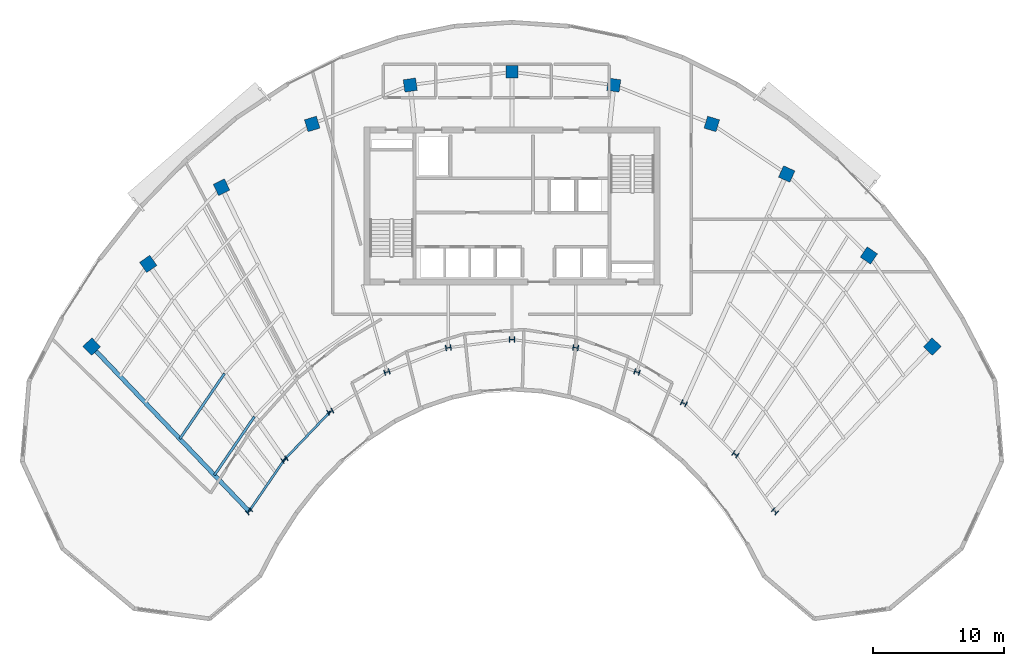
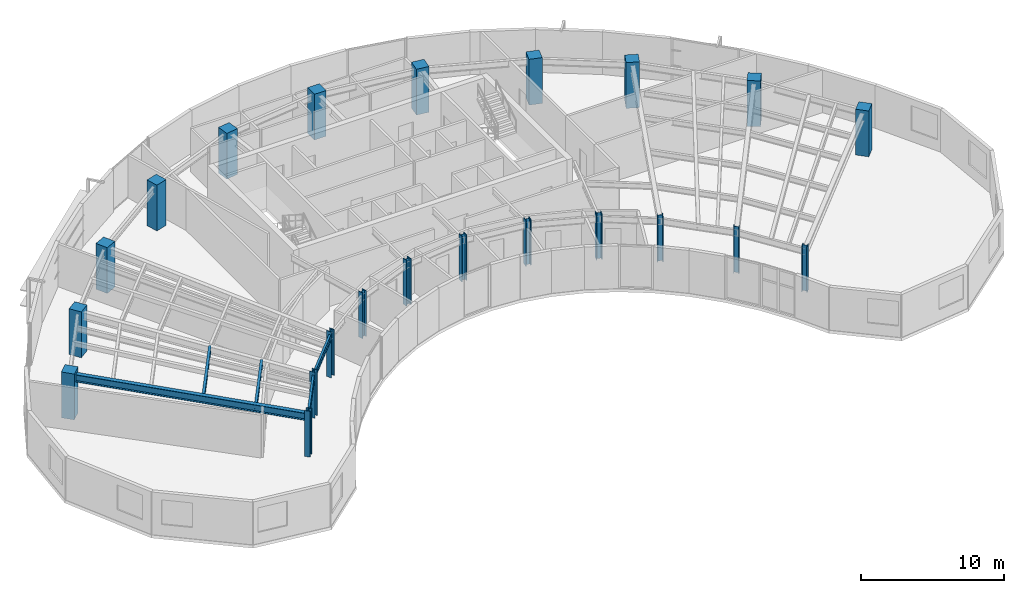
# One storey, part 1 of 13: 22 columns, 5 beams.
"""IFC4 building model written with IfcOpenShell, lengths in metres."""

from ifc_helpers import new_model, si_unit, direction, frame, origin, origin_2d, place, context, subcontext, project, spatial, rectangle, i_section, extrude, source, transform, mapped, material, material_profile, profile_set, type_object, type_shapes, element, save


model = new_model("IFC4")

# Units and contexts
model_context = context("Model", 3, precision=1e-05, world=origin(), true_north=direction((0.0, 1.0)))
body_context = subcontext(model_context, "Body", "Model", "MODEL_VIEW")
ifc_project = project(units=[si_unit("LENGTHUNIT", "METRE"), si_unit("AREAUNIT", "SQUARE_METRE"), si_unit("VOLUMEUNIT", "CUBIC_METRE"), si_unit("PLANEANGLEUNIT", "RADIAN"), si_unit("MASSUNIT", "GRAM", prefix="KILO")], contexts=[model_context])

# Site, building, storey
site_placement = place(None, origin())
site = spatial("IfcSite", under=ifc_project, at=site_placement, CompositionType="ELEMENT")
building_placement = place(site_placement, origin())
building = spatial("IfcBuilding", under=site, at=building_placement, Name="Breltana Convention Tower", CompositionType="ELEMENT")
storey_placement = place(building_placement, frame((0.0, 0.0, 223.5)))
storey = spatial("IfcBuildingStorey", under=building, at=storey_placement, Name="L54", CompositionType="ELEMENT", Elevation=223.5)

# Columns
ifc_material_1 = material(Name="Steel ASTM A992 Grade 50", Category="steel")
ifc_material_profile_1 = material_profile(ifc_material_1, i_section(OverallWidth=0.406005859375, OverallDepth=0.416015625, WebThickness=0.02978515625, FlangeThickness=0.048095703125, at=origin_2d()), Name="W14X257")
ifc_profile_set_1 = profile_set([ifc_material_profile_1], Name="Steel ASTM A992 Grade 50")
column_type_1 = type_object("IfcColumnType", Name="COL-STL-W14X257", PredefinedType="COLUMN", material=ifc_profile_set_1)
shared_shape_1 = source(origin(), body_context, "Body", "SweptSolid", [
    extrude(i_section(OverallWidth=0.406005859375, OverallDepth=0.416015625, WebThickness=0.02978515625, FlangeThickness=0.048095703125, at=origin_2d()), origin(), (0.0, 0.0, 1.0), 3.89990234375),
])
for number, where, z_axis, x_axis, name in (
    (1, (27.984619140625, 42.95458984375, 0.0), (0.0, 0.0, 1.0), (-0.690756218984, 0.723087716626, 0.0), "L54 Tower Column R01-IN"),
    (2, (30.67724609375, 46.892333984375, 0.0), (0.0, 0.0, 1.0), (-0.571143442153, 0.820850271661, 0.0), "L54 Tower Column R02-IN"),
    (3, (34.166259765625, 50.544921875, 0.0), (0.0, 0.0, 1.0), (-0.436173672171, 0.899862504889, 0.0), "L54 Tower Column R03-IN"),
    (4, (38.485107421875, 53.5576171875, 0.0), (0.0, 0.0, 1.0), (-0.288697611798, 0.957420330337, 0.0), "L54 Tower Column R04-IN"),
    (5, (43.153564453125, 55.41064453125, 0.0), (0.0, 0.0, 1.0), (-0.143492621991, 0.98965138682, 0.0), "L54 Tower Column R05-IN"),
    (6, (48.0, 56.035888671875, 0.0), (0.0, 0.0, 1.0), (0.0, 1.0, 0.0), "L54 Tower Column R06-IN"),
    (7, (52.846435546875, 55.41064453125, 0.0), (0.0, 0.0, 1.0), (0.143492621991, 0.98965138682, 0.0), "L54 Tower Column R07-IN"),
    (8, (57.514892578125, 53.5576171875, 0.0), (0.0, 0.0, 1.0), (0.288697611798, 0.957420330337, 0.0), "L54 Tower Column R08-IN"),
    (9, (61.08203125, 51.174560546875, 0.0), (0.0, 0.0, 1.0), (0.409126902895, 0.912477494148, 0.0), "L54 Tower Column R09-IN"),
    (10, (64.995849609375, 47.293701171875, 0.0), (0.0, 0.0, 1.0), (0.55774510898, 0.830012285095, 0.0), "L54 Tower Column R10-IN"),
    (11, (68.015380859375, 42.95458984375, 0.0), (0.0, 0.0, 1.0), (0.690756218984, 0.723087716626, 0.0), "L54 Tower Column R11-IN"),
):
    element("IfcColumn", number, at=place(storey_placement, frame(where, z_axis=z_axis, x_axis=x_axis)), inside=storey, type_object=column_type_1, Name=name, PredefinedType="COLUMN", context=body_context, shape_type="MappedRepresentation", body=[
        mapped(shared_shape_1, transform((0.0, 0.0, 0.0), scale=1.0)),
    ])
ifc_material_2 = material(Name="Concrete C50/60", Category="concrete")
ifc_material_profile_2 = material_profile(ifc_material_2, rectangle(XDim=0.949951171875, YDim=0.949951171875, at=origin_2d()), Name="RC-COL-950X950")
ifc_profile_set_2 = profile_set([ifc_material_profile_2], Name="Concrete C50/60")
column_type_2 = type_object("IfcColumnType", Name="COL-RC-950", PredefinedType="COLUMN", material=ifc_profile_set_2)
shared_shape_2 = source(origin(), body_context, "Body", "SweptSolid", [
    extrude(rectangle(XDim=0.949951171875, YDim=0.949951171875, at=origin_2d()), origin(), (0.0, 0.0, 1.0), 3.89990234375),
])
for number, where, z_axis, x_axis, name in (
    (12, (16.0068359375, 55.494384765625, 0.0), (0.0, 0.0, 1.0), (-0.690756218984, 0.723087716626, 0.0), "L54 Tower Column R01-OUT"),
    (13, (20.310791015625, 61.78857421875, 0.0), (0.0, 0.0, 1.0), (-0.571143442153, 0.820850271661, 0.0), "L54 Tower Column R02-OUT"),
    (14, (25.8876953125, 67.626953125, 0.0), (0.0, 0.0, 1.0), (-0.436173672171, 0.899862504889, 0.0), "L54 Tower Column R03-OUT"),
    (15, (32.791015625, 72.4423828125, 0.0), (0.0, 0.0, 1.0), (-0.288697611798, 0.957420330337, 0.0), "L54 Tower Column R04-OUT"),
    (16, (40.253173828125, 75.404296875, 0.0), (0.0, 0.0, 1.0), (-0.143492621991, 0.98965138682, 0.0), "L54 Tower Column R05-OUT"),
    (17, (48.0, 76.404052734375, 0.0), (0.0, 0.0, 1.0), (0.0, 1.0, 0.0), "L54 Tower Column R06-OUT"),
    (18, (55.746826171875, 75.404296875, 0.0), (0.0, 0.0, 1.0), (0.143492621991, 0.98965138682, 0.0), "L54 Tower Column R07-OUT"),
    (19, (63.208984375, 72.4423828125, 0.0), (0.0, 0.0, 1.0), (0.288697611798, 0.957420330337, 0.0), "L54 Tower Column R08-OUT"),
    (20, (68.910400390625, 68.63330078125, 0.0), (0.0, 0.0, 1.0), (0.409126902895, 0.912477494148, 0.0), "L54 Tower Column R09-OUT"),
    (21, (75.166748046875, 62.43017578125, 0.0), (0.0, 0.0, 1.0), (0.55774510898, 0.830012285095, 0.0), "L54 Tower Column R10-OUT"),
    (22, (79.9931640625, 55.494384765625, 0.0), (0.0, 0.0, 1.0), (0.690756218984, 0.723087716626, 0.0), "L54 Tower Column R11-OUT"),
):
    element("IfcColumn", number, at=place(storey_placement, frame(where, z_axis=z_axis, x_axis=x_axis)), inside=storey, type_object=column_type_2, Name=name, PredefinedType="COLUMN", context=body_context, shape_type="MappedRepresentation", body=[
        mapped(shared_shape_2, transform((0.0, 0.0, 0.0), scale=1.0)),
    ])

# Beams
ifc_material_profile_3 = material_profile(ifc_material_1, i_section(OverallWidth=0.19091796875, OverallDepth=0.4599609375, WebThickness=0.010009765625, FlangeThickness=0.01611328125, at=origin_2d()), Name="W18X55")
ifc_profile_set_3 = profile_set([ifc_material_profile_3], Name="Steel ASTM A992 Grade 50")
beam_type_1 = type_object("IfcBeamType", Name="BM-JSG-07", PredefinedType="JOIST", material=ifc_profile_set_3)
shared_shape_3 = source(origin(), body_context, "Body", "SweptSolid", [
    extrude(i_section(OverallWidth=0.19091796875, OverallDepth=0.4599609375, WebThickness=0.010009765625, FlangeThickness=0.01611328125, at=origin_2d()), origin(), (0.0, 0.0, 1.0), 5.3984375),
])
type_shapes(beam_type_1, [shared_shape_3])
beam_1_placement = place(storey_placement, frame((25.349365234375, 45.71337890625, 3.409912109375), z_axis=(0.564440705434, 0.825473615599, 0.0), x_axis=(-0.825473615599, 0.564440705434, 0.0)))
element("IfcBeam", 23, at=beam_1_placement, inside=storey, type_object=beam_type_1, Name="L54 Composite Floor Joist 01.1", PredefinedType="JOIST", context=body_context, shape_type="MappedRepresentation", body=[
    mapped(shared_shape_3, transform((0.0, 0.0, 0.0), scale=1.0)),
])
shared_shape_4 = source(origin(), body_context, "Body", "SweptSolid", [
    extrude(i_section(OverallWidth=0.19091796875, OverallDepth=0.4599609375, WebThickness=0.010009765625, FlangeThickness=0.01611328125, at=origin_2d()), origin(), (0.0, 0.0, 1.0), 6.0263671875),
])
beam_2_placement = place(storey_placement, frame((22.71435546875, 48.47216796875, 3.409912109375), z_axis=(0.564450071397, 0.825467211281, 0.0), x_axis=(-0.825467211281, 0.564450071397, 0.0)))
element("IfcBeam", 24, at=beam_2_placement, inside=storey, type_object=beam_type_1, Name="L54 Composite Floor Joist 01.2", PredefinedType="JOIST", context=body_context, shape_type="MappedRepresentation", body=[
    mapped(shared_shape_4, transform((0.0, 0.0, 0.0), scale=1.0)),
])
ifc_material_profile_4 = material_profile(ifc_material_1, i_section(OverallWidth=0.166015625, OverallDepth=0.534912109375, WebThickness=0.01025390625, FlangeThickness=0.0166015625, at=origin_2d()), Name="W21X57")
ifc_profile_set_4 = profile_set([ifc_material_profile_4], Name="Steel ASTM A992 Grade 50")
beam_type_2 = type_object("IfcBeamType", Name="BM-BM-W21X57", PredefinedType="BEAM", material=ifc_profile_set_4)
shared_shape_5 = source(origin(), body_context, "Body", "SweptSolid", [
    extrude(i_section(OverallWidth=0.166015625, OverallDepth=0.534912109375, WebThickness=0.01025390625, FlangeThickness=0.0166015625, at=origin_2d()), origin(), (0.0, 0.0, 1.0), 4.770263671875),
])
beam_3_placement = place(storey_placement, frame((27.984619140625, 42.95458984375, 3.37255859375), z_axis=(0.564452719055, 0.82546540082, 0.0), x_axis=(-0.82546540082, 0.564452719055, 0.0)))
element("IfcBeam", 25, at=beam_3_placement, inside=storey, type_object=beam_type_2, Name="L54 Inner Ring Beam 01", PredefinedType="BEAM", context=body_context, shape_type="MappedRepresentation", body=[
    mapped(shared_shape_5, transform((0.0, 0.0, 0.0), scale=1.0)),
])
shared_shape_6 = source(origin(), body_context, "Body", "SweptSolid", [
    extrude(i_section(OverallWidth=0.166015625, OverallDepth=0.534912109375, WebThickness=0.01025390625, FlangeThickness=0.0166015625, at=origin_2d()), origin(), (0.0, 0.0, 1.0), 5.05126953125),
])
beam_4_placement = place(storey_placement, frame((30.67724609375, 46.892333984375, 3.37255859375), z_axis=(0.690729753845, 0.7231129975, 0.0), x_axis=(-0.7231129975, 0.690729753845, 0.0)))
element("IfcBeam", 26, at=beam_4_placement, inside=storey, type_object=beam_type_2, Name="L54 Inner Ring Beam 02", PredefinedType="BEAM", context=body_context, shape_type="MappedRepresentation", body=[
    mapped(shared_shape_6, transform((0.0, 0.0, 0.0), scale=1.0)),
])
ifc_material_profile_5 = material_profile(ifc_material_1, i_section(OverallWidth=0.326904296875, OverallDepth=0.6220703125, WebThickness=0.015380859375, FlangeThickness=0.0244140625, at=origin_2d()), Name="W24X131")
ifc_profile_set_5 = profile_set([ifc_material_profile_5], Name="Steel ASTM A992 Grade 50")
beam_type_3 = type_object("IfcBeamType", Name="BM-RG-W24X131", PredefinedType="USERDEFINED", material=ifc_profile_set_5)
shared_shape_7 = source(origin(), body_context, "Body", "SweptSolid", [
    extrude(i_section(OverallWidth=0.326904296875, OverallDepth=0.6220703125, WebThickness=0.015380859375, FlangeThickness=0.0244140625, at=origin_2d()), origin(), (0.0, 0.0, 1.0), 17.341064453125),
])
type_shapes(beam_type_3, [shared_shape_7])
beam_5_placement = place(storey_placement, frame((27.984619140625, 42.95458984375, 3.3291015625), z_axis=(-0.690716462293, 0.723125693581, 0.0), x_axis=(-0.723125693581, -0.690716462293, 0.0)))
element("IfcBeam", 27, at=beam_5_placement, inside=storey, type_object=beam_type_3, Name="L54 Radial Floor Girder R01", ObjectType="GIRDER", PredefinedType="USERDEFINED", context=body_context, shape_type="MappedRepresentation", body=[
    mapped(shared_shape_7, transform((0.0, 0.0, 0.0), scale=1.0)),
])

save(model, "model.ifc")
